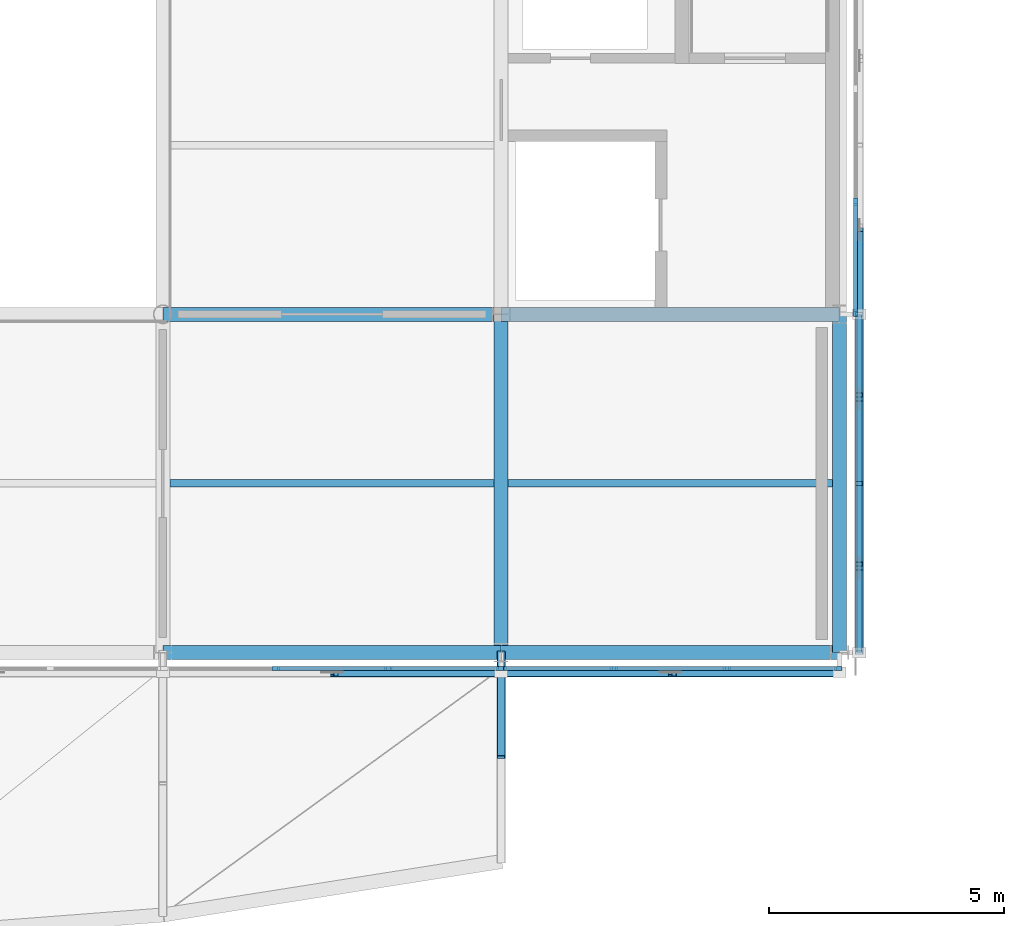
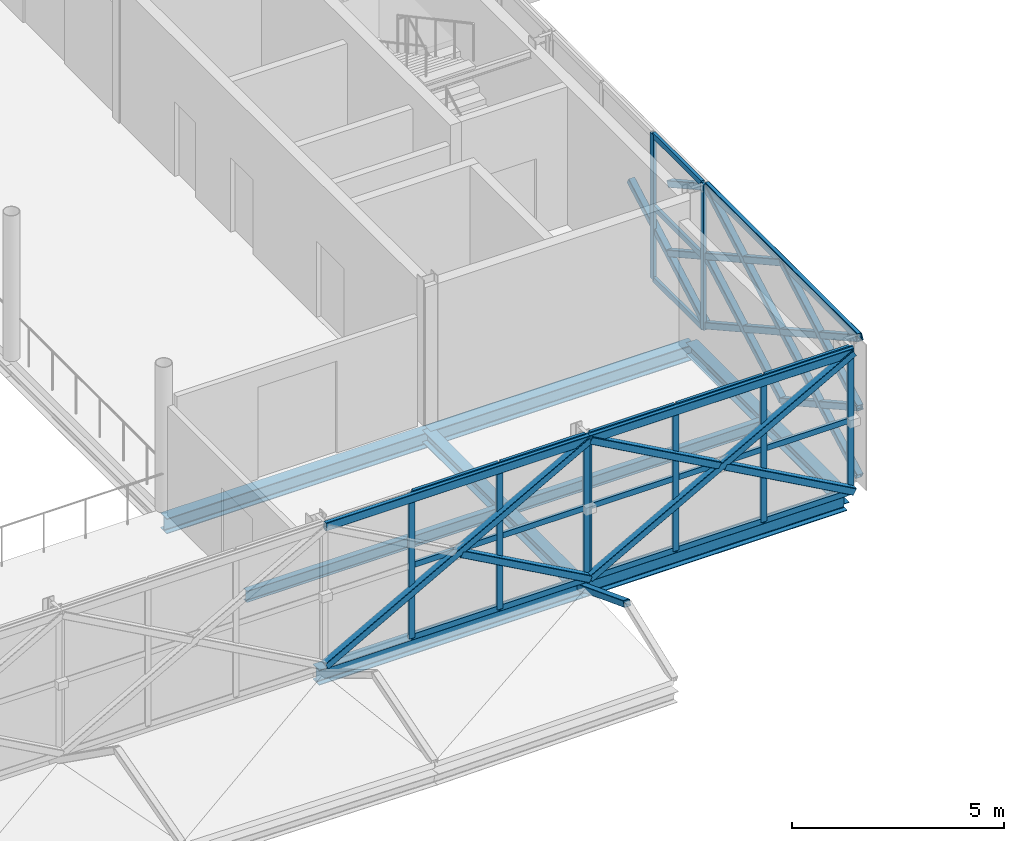
# One storey, part 41 of 146: 51 members, 8 beams, 3 elements without a shape of their own.
"""IFC4 building model written with IfcOpenShell, lengths in metres."""

from ifc_helpers import new_model, si_unit, direction, frame, origin, origin_2d, place, context, subcontext, project, spatial, rectangle, hollow_rectangle, i_section, extrude, material, material_profile, profile_set, type_object, element, aggregate, save


model = new_model("IFC4")

# Units and contexts
model_context = context("Model", 3, precision=1e-05, world=origin(), true_north=direction((0.0, 1.0)))
body_context = subcontext(model_context, "Body", "Model", "MODEL_VIEW")
ifc_project = project(units=[si_unit("LENGTHUNIT", "METRE"), si_unit("AREAUNIT", "SQUARE_METRE"), si_unit("VOLUMEUNIT", "CUBIC_METRE"), si_unit("PLANEANGLEUNIT", "RADIAN"), si_unit("MASSUNIT", "GRAM", prefix="KILO")], contexts=[model_context])

# Site, building, storey
site_placement = place(None, origin())
site = spatial("IfcSite", under=ifc_project, at=site_placement, CompositionType="ELEMENT")
building_placement = place(site_placement, origin())
building = spatial("IfcBuilding", under=site, at=building_placement, Name="Zlatovets Crest Museum", CompositionType="ELEMENT")
storey_placement = place(building_placement, frame((0.0, 0.0, 4.5)))
storey = spatial("IfcBuildingStorey", under=building, at=storey_placement, Name="L01", CompositionType="ELEMENT", Elevation=4.5)

# Beams
ifc_material_1 = material(Name="Structural steel S355J2", Category="steel")
ifc_material_profile_1 = material_profile(ifc_material_1, i_section(OverallWidth=0.300048828125, OverallDepth=0.35009765625, WebThickness=0.010009765625, FlangeThickness=0.017578125, FilletRadius=0.027099609375, at=origin_2d()), Name="HEA 360")
ifc_profile_set_1 = profile_set([ifc_material_profile_1], Name="Structural steel S355J2")
beam_type_1 = type_object("IfcBeamType", Name="Beam_B-03", PredefinedType="BEAM", material=ifc_profile_set_1)
for number, where, z_axis, x_axis, name in (
    (1, (100.800048828125, 0.0, -0.39501953125), (0.0, 1.0, 0.0), (-1.0, 0.0, 0.0), "V2 L01 Grid Beam B-03"),
    (2, (108.0, 0.0, -0.39501953125), (0.0, 1.0, 0.0), (-1.0, 0.0, 0.0), "V2 L01 Grid Beam B-03"),
):
    element("IfcBeam", number, at=place(storey_placement, frame(where, z_axis=z_axis, x_axis=x_axis)), inside=storey, type_object=beam_type_1, Name=name, PredefinedType="BEAM", context=body_context, shape_type="SweptSolid", body=[
        extrude(i_section(OverallWidth=0.300048828125, OverallDepth=0.35009765625, WebThickness=0.010009765625, FlangeThickness=0.017578125, FilletRadius=0.027099609375, at=origin_2d()), origin(), (0.0, 0.0, 1.0), 7.199951171875),
    ])
ifc_material_profile_2 = material_profile(ifc_material_1, i_section(OverallWidth=0.300048828125, OverallDepth=0.43994140625, WebThickness=0.011474609375, FlangeThickness=0.02099609375, FilletRadius=0.027099609375, at=origin_2d()), Name="HEA 450")
ifc_profile_set_2 = profile_set([ifc_material_profile_2], Name="Structural steel S355J2")
beam_type_2 = type_object("IfcBeamType", Name="Beam_B-10", PredefinedType="BEAM", material=ifc_profile_set_2)
for number, where, z_axis, x_axis, name in (
    (3, (93.60009765625, 0.0, -0.43994140625), (1.0, 0.0, 0.0), (0.0, 1.0, 0.0), "V2 L01 Primary Girder B-10"),
    (4, (100.800048828125, 0.0, -0.43994140625), (1.0, 0.0, 0.0), (0.0, 1.0, 0.0), "V2 L01 Primary Girder B-10"),
    (5, (93.60009765625, 7.199951171875, -0.43994140625), (1.0, 0.0, 0.0), (0.0, 1.0, 0.0), "V2 L01 Primary Girder B-10"),
    (6, (100.800048828125, 7.199951171875, -0.43994140625), (1.0, 0.0, 0.0), (0.0, 1.0, 0.0), "V2 L01 Primary Girder B-10"),
):
    element("IfcBeam", number, at=place(storey_placement, frame(where, z_axis=z_axis, x_axis=x_axis)), inside=storey, type_object=beam_type_2, Name=name, PredefinedType="BEAM", context=body_context, shape_type="SweptSolid", body=[
        extrude(i_section(OverallWidth=0.300048828125, OverallDepth=0.43994140625, WebThickness=0.011474609375, FlangeThickness=0.02099609375, FilletRadius=0.027099609375, at=origin_2d()), origin(), (0.0, 0.0, 1.0), 7.199951171875),
    ])
ifc_material_profile_3 = material_profile(ifc_material_1, i_section(OverallWidth=0.159912109375, OverallDepth=0.330078125, WebThickness=0.007568359375, FlangeThickness=0.011474609375, FilletRadius=0.01806640625, at=origin_2d()), Name="IPE 330")
ifc_profile_set_3 = profile_set([ifc_material_profile_3], Name="Structural steel S355J2")
beam_type_3 = type_object("IfcBeamType", Name="Beam_J-09", PredefinedType="JOIST", material=ifc_profile_set_3)
beam_1_placement = place(storey_placement, frame((93.75, 3.60009765625, -0.385009765625), z_axis=(1.0, 0.0, 0.0), x_axis=(0.0, 1.0, 0.0)))
element("IfcBeam", 7, at=beam_1_placement, inside=storey, type_object=beam_type_3, Name="V2 L01 Composite Joist J-09", PredefinedType="JOIST", context=body_context, shape_type="SweptSolid", body=[
    extrude(i_section(OverallWidth=0.159912109375, OverallDepth=0.330078125, WebThickness=0.007568359375, FlangeThickness=0.011474609375, FilletRadius=0.01806640625, at=origin_2d()), origin(), (0.0, 0.0, 1.0), 6.89990234375),
])
beam_2_placement = place(storey_placement, frame((100.949951171875, 3.60009765625, -0.385009765625), z_axis=(1.0, 0.0, 0.0), x_axis=(0.0, 1.0, 0.0)))
element("IfcBeam", 8, at=beam_2_placement, inside=storey, type_object=beam_type_3, Name="V2 L01 Composite Joist J-09", PredefinedType="JOIST", context=body_context, shape_type="SweptSolid", body=[
    extrude(i_section(OverallWidth=0.159912109375, OverallDepth=0.330078125, WebThickness=0.007568359375, FlangeThickness=0.011474609375, FilletRadius=0.01806640625, at=origin_2d()), origin(), (0.0, 0.0, 1.0), 6.900146484375),
])

# Curtain wall, members
ifc_material_2 = material(Name="Bronze-anodised aluminium and low-E triple glass", Category="aluminium")
curtain_wall_type_1 = type_object("IfcCurtainWallType", Name="CW_CW-V2-L01-M1", PredefinedType="NOTDEFINED", material=ifc_material_2)
curtain_wall_1_placement = place(storey_placement, origin())
curtain_wall_1 = element("IfcCurtainWall", 9, at=curtain_wall_1_placement, inside=storey, type_object=curtain_wall_type_1, Name="V2 L01 Secession Foyer Clear Curtain Wall", PredefinedType="NOTDEFINED")
ifc_material_3 = material(Name="Bronze-anodised aluminium EN AW-6060", Category="aluminium")
ifc_material_profile_4 = material_profile(ifc_material_3, rectangle(XDim=0.080078125, YDim=0.159912109375, at=origin_2d()), Name="ALU 80x160")
ifc_profile_set_4 = profile_set([ifc_material_profile_4], Name="Bronze-anodised aluminium EN AW-6060")
member_type_1 = type_object("IfcMemberType", Name="CWMull_M1", PredefinedType="MULLION", material=ifc_profile_set_4)
member_1_placement = place(storey_placement, frame((96.0, -0.340087890625, 0.0), z_axis=(0.0, 0.0, 1.0), x_axis=(0.0, 1.0, 0.0)))
member_1 = element("IfcMember", 10, at=member_1_placement, type_object=member_type_1, Name="CW-V2-L01-M1 mullion 2", PredefinedType="MULLION", context=body_context, shape_type="SweptSolid", body=[
    extrude(rectangle(XDim=0.080078125, YDim=0.159912109375, at=origin_2d()), origin(), (0.0, 0.0, 1.0), 4.199951171875),
])
member_2_placement = place(storey_placement, frame((98.39990234375, -0.340087890625, 0.0), z_axis=(0.0, 0.0, 1.0), x_axis=(0.0, 1.0, 0.0)))
member_2 = element("IfcMember", 11, at=member_2_placement, type_object=member_type_1, Name="CW-V2-L01-M1 mullion 3", PredefinedType="MULLION", context=body_context, shape_type="SweptSolid", body=[
    extrude(rectangle(XDim=0.080078125, YDim=0.159912109375, at=origin_2d()), origin(), (0.0, 0.0, 1.0), 4.199951171875),
])
member_3_placement = place(storey_placement, frame((100.77001953125, -0.340087890625, 0.0), z_axis=(0.0, 0.0, 1.0), x_axis=(0.0, 1.0, 0.0)))
member_3 = element("IfcMember", 12, at=member_3_placement, type_object=member_type_1, Name="CW-V2-L01-M1 mullion 4", PredefinedType="MULLION", context=body_context, shape_type="SweptSolid", body=[
    extrude(rectangle(XDim=0.080078125, YDim=0.159912109375, at=origin_2d()), origin(), (0.0, 0.0, 1.0), 4.199951171875),
])

curtain_wall_type_2 = type_object("IfcCurtainWallType", Name="CW_CW-V2-L01-M2", PredefinedType="NOTDEFINED", material=ifc_material_2)
curtain_wall_2_placement = place(storey_placement, origin())
curtain_wall_2 = element("IfcCurtainWall", 13, at=curtain_wall_2_placement, inside=storey, type_object=curtain_wall_type_2, Name="V2 L01 Secession Foyer Clear Curtain Wall", PredefinedType="NOTDEFINED")
member_4_placement = place(storey_placement, frame((100.830078125, -0.340087890625, 0.0), z_axis=(0.0, 0.0, 1.0), x_axis=(0.0, 1.0, 0.0)))
member_4 = element("IfcMember", 14, at=member_4_placement, type_object=member_type_1, Name="CW-V2-L01-M2 mullion 1", PredefinedType="MULLION", context=body_context, shape_type="SweptSolid", body=[
    extrude(rectangle(XDim=0.080078125, YDim=0.159912109375, at=origin_2d()), origin(), (0.0, 0.0, 1.0), 4.199951171875),
])
member_5_placement = place(storey_placement, frame((103.199951171875, -0.340087890625, 0.0), z_axis=(0.0, 0.0, 1.0), x_axis=(0.0, 1.0, 0.0)))
member_5 = element("IfcMember", 15, at=member_5_placement, type_object=member_type_1, Name="CW-V2-L01-M2 mullion 2", PredefinedType="MULLION", context=body_context, shape_type="SweptSolid", body=[
    extrude(rectangle(XDim=0.080078125, YDim=0.159912109375, at=origin_2d()), origin(), (0.0, 0.0, 1.0), 4.199951171875),
])
member_6_placement = place(storey_placement, frame((105.60009765625, -0.340087890625, 0.0), z_axis=(0.0, 0.0, 1.0), x_axis=(0.0, 1.0, 0.0)))
member_6 = element("IfcMember", 16, at=member_6_placement, type_object=member_type_1, Name="CW-V2-L01-M2 mullion 3", PredefinedType="MULLION", context=body_context, shape_type="SweptSolid", body=[
    extrude(rectangle(XDim=0.080078125, YDim=0.159912109375, at=origin_2d()), origin(), (0.0, 0.0, 1.0), 4.199951171875),
])
member_7_placement = place(storey_placement, frame((107.969970703125, -0.340087890625, 0.0), z_axis=(0.0, 0.0, 1.0), x_axis=(0.0, 1.0, 0.0)))
member_7 = element("IfcMember", 17, at=member_7_placement, type_object=member_type_1, Name="CW-V2-L01-M2 mullion 4", PredefinedType="MULLION", context=body_context, shape_type="SweptSolid", body=[
    extrude(rectangle(XDim=0.080078125, YDim=0.159912109375, at=origin_2d()), origin(), (0.0, 0.0, 1.0), 4.199951171875),
])

curtain_wall_type_3 = type_object("IfcCurtainWallType", Name="CW_CW-V2-L01-M0", PredefinedType="NOTDEFINED", material=ifc_material_2)
curtain_wall_3_placement = place(storey_placement, origin())
curtain_wall_3 = element("IfcCurtainWall", 18, at=curtain_wall_3_placement, inside=storey, type_object=curtain_wall_type_3, Name="V2 L01 Expressed Core Glazed Facade", PredefinedType="NOTDEFINED")
member_8_placement = place(storey_placement, frame((108.340087890625, 7.22998046875, 0.0), z_axis=(0.0, 0.0, 1.0), x_axis=(-1.0, 0.0, 0.0)))
member_8 = element("IfcMember", 19, at=member_8_placement, type_object=member_type_1, Name="CW-V2-L01-M0 mullion 1", PredefinedType="MULLION", context=body_context, shape_type="SweptSolid", body=[
    extrude(rectangle(XDim=0.080078125, YDim=0.159912109375, at=origin_2d()), origin(), (0.0, 0.0, 1.0), 4.199951171875),
])
member_9_placement = place(storey_placement, frame((108.340087890625, 9.60009765625, 0.0), z_axis=(0.0, 0.0, 1.0), x_axis=(-1.0, 0.0, 0.0)))
member_9 = element("IfcMember", 20, at=member_9_placement, type_object=member_type_1, Name="CW-V2-L01-M0 mullion 2", PredefinedType="MULLION", context=body_context, shape_type="SweptSolid", body=[
    extrude(rectangle(XDim=0.080078125, YDim=0.159912109375, at=origin_2d()), origin(), (0.0, 0.0, 1.0), 4.199951171875),
])

# Member
ifc_material_profile_5 = material_profile(ifc_material_3, rectangle(XDim=0.080078125, YDim=0.159912109375, at=origin_2d()), Name="ALU 80x160")
ifc_profile_set_5 = profile_set([ifc_material_profile_5], Name="Bronze-anodised aluminium EN AW-6060")
member_type_2 = type_object("IfcMemberType", Name="CWTrans_T1", PredefinedType="USERDEFINED", material=ifc_profile_set_5)
member_10_placement = place(storey_placement, frame((96.030029296875, -0.340087890625, 0.030029296875), z_axis=(1.0, 0.0, 0.0), x_axis=(0.0, 1.0, 0.0)))
member_10 = element("IfcMember", 21, at=member_10_placement, type_object=member_type_2, Name="CW-V2-L01-M1 transom 2.1", ObjectType="TRANSOM", PredefinedType="USERDEFINED", context=body_context, shape_type="SweptSolid", body=[
    extrude(rectangle(XDim=0.080078125, YDim=0.159912109375, at=origin_2d()), origin(), (0.0, 0.0, 1.0), 2.340087890625),
])

member_11_placement = place(storey_placement, frame((96.030029296875, -0.340087890625, 2.10009765625), z_axis=(1.0, 0.0, 0.0), x_axis=(0.0, 1.0, 0.0)))
member_11 = element("IfcMember", 22, at=member_11_placement, type_object=member_type_2, Name="CW-V2-L01-M1 transom 2.2", ObjectType="TRANSOM", PredefinedType="USERDEFINED", context=body_context, shape_type="SweptSolid", body=[
    extrude(rectangle(XDim=0.080078125, YDim=0.159912109375, at=origin_2d()), origin(), (0.0, 0.0, 1.0), 2.340087890625),
])

member_12_placement = place(storey_placement, frame((96.030029296875, -0.340087890625, 4.169921875), z_axis=(1.0, 0.0, 0.0), x_axis=(0.0, 1.0, 0.0)))
member_12 = element("IfcMember", 23, at=member_12_placement, type_object=member_type_2, Name="CW-V2-L01-M1 transom 2.3", ObjectType="TRANSOM", PredefinedType="USERDEFINED", context=body_context, shape_type="SweptSolid", body=[
    extrude(rectangle(XDim=0.080078125, YDim=0.159912109375, at=origin_2d()), origin(), (0.0, 0.0, 1.0), 2.340087890625),
])

member_13_placement = place(storey_placement, frame((98.429931640625, -0.340087890625, 0.030029296875), z_axis=(1.0, 0.0, 0.0), x_axis=(0.0, 1.0, 0.0)))
member_13 = element("IfcMember", 24, at=member_13_placement, type_object=member_type_2, Name="CW-V2-L01-M1 transom 3.1", ObjectType="TRANSOM", PredefinedType="USERDEFINED", context=body_context, shape_type="SweptSolid", body=[
    extrude(rectangle(XDim=0.080078125, YDim=0.159912109375, at=origin_2d()), origin(), (0.0, 0.0, 1.0), 2.31005859375),
])

member_14_placement = place(storey_placement, frame((98.429931640625, -0.340087890625, 2.10009765625), z_axis=(1.0, 0.0, 0.0), x_axis=(0.0, 1.0, 0.0)))
member_14 = element("IfcMember", 25, at=member_14_placement, type_object=member_type_2, Name="CW-V2-L01-M1 transom 3.2", ObjectType="TRANSOM", PredefinedType="USERDEFINED", context=body_context, shape_type="SweptSolid", body=[
    extrude(rectangle(XDim=0.080078125, YDim=0.159912109375, at=origin_2d()), origin(), (0.0, 0.0, 1.0), 2.31005859375),
])

member_15_placement = place(storey_placement, frame((98.429931640625, -0.340087890625, 4.169921875), z_axis=(1.0, 0.0, 0.0), x_axis=(0.0, 1.0, 0.0)))
member_15 = element("IfcMember", 26, at=member_15_placement, type_object=member_type_2, Name="CW-V2-L01-M1 transom 3.3", ObjectType="TRANSOM", PredefinedType="USERDEFINED", context=body_context, shape_type="SweptSolid", body=[
    extrude(rectangle(XDim=0.080078125, YDim=0.159912109375, at=origin_2d()), origin(), (0.0, 0.0, 1.0), 2.31005859375),
])

aggregate(curtain_wall_1, [member_1, member_2, member_3, member_10, member_11, member_12, member_13, member_14, member_15])

member_16_placement = place(storey_placement, frame((100.860107421875, -0.340087890625, 0.030029296875), z_axis=(1.0, 0.0, 0.0), x_axis=(0.0, 1.0, 0.0)))
member_16 = element("IfcMember", 27, at=member_16_placement, type_object=member_type_2, Name="CW-V2-L01-M2 transom 1.1", ObjectType="TRANSOM", PredefinedType="USERDEFINED", context=body_context, shape_type="SweptSolid", body=[
    extrude(rectangle(XDim=0.080078125, YDim=0.159912109375, at=origin_2d()), origin(), (0.0, 0.0, 1.0), 2.309814453125),
])

member_17_placement = place(storey_placement, frame((100.860107421875, -0.340087890625, 2.10009765625), z_axis=(1.0, 0.0, 0.0), x_axis=(0.0, 1.0, 0.0)))
member_17 = element("IfcMember", 28, at=member_17_placement, type_object=member_type_2, Name="CW-V2-L01-M2 transom 1.2", ObjectType="TRANSOM", PredefinedType="USERDEFINED", context=body_context, shape_type="SweptSolid", body=[
    extrude(rectangle(XDim=0.080078125, YDim=0.159912109375, at=origin_2d()), origin(), (0.0, 0.0, 1.0), 2.309814453125),
])

member_18_placement = place(storey_placement, frame((100.860107421875, -0.340087890625, 4.169921875), z_axis=(1.0, 0.0, 0.0), x_axis=(0.0, 1.0, 0.0)))
member_18 = element("IfcMember", 29, at=member_18_placement, type_object=member_type_2, Name="CW-V2-L01-M2 transom 1.3", ObjectType="TRANSOM", PredefinedType="USERDEFINED", context=body_context, shape_type="SweptSolid", body=[
    extrude(rectangle(XDim=0.080078125, YDim=0.159912109375, at=origin_2d()), origin(), (0.0, 0.0, 1.0), 2.309814453125),
])

member_19_placement = place(storey_placement, frame((103.22998046875, -0.340087890625, 0.030029296875), z_axis=(1.0, 0.0, 0.0), x_axis=(0.0, 1.0, 0.0)))
member_19 = element("IfcMember", 30, at=member_19_placement, type_object=member_type_2, Name="CW-V2-L01-M2 transom 2.1", ObjectType="TRANSOM", PredefinedType="USERDEFINED", context=body_context, shape_type="SweptSolid", body=[
    extrude(rectangle(XDim=0.080078125, YDim=0.159912109375, at=origin_2d()), origin(), (0.0, 0.0, 1.0), 2.340087890625),
])

member_20_placement = place(storey_placement, frame((103.22998046875, -0.340087890625, 2.10009765625), z_axis=(1.0, 0.0, 0.0), x_axis=(0.0, 1.0, 0.0)))
member_20 = element("IfcMember", 31, at=member_20_placement, type_object=member_type_2, Name="CW-V2-L01-M2 transom 2.2", ObjectType="TRANSOM", PredefinedType="USERDEFINED", context=body_context, shape_type="SweptSolid", body=[
    extrude(rectangle(XDim=0.080078125, YDim=0.159912109375, at=origin_2d()), origin(), (0.0, 0.0, 1.0), 2.340087890625),
])

member_21_placement = place(storey_placement, frame((103.22998046875, -0.340087890625, 4.169921875), z_axis=(1.0, 0.0, 0.0), x_axis=(0.0, 1.0, 0.0)))
member_21 = element("IfcMember", 32, at=member_21_placement, type_object=member_type_2, Name="CW-V2-L01-M2 transom 2.3", ObjectType="TRANSOM", PredefinedType="USERDEFINED", context=body_context, shape_type="SweptSolid", body=[
    extrude(rectangle(XDim=0.080078125, YDim=0.159912109375, at=origin_2d()), origin(), (0.0, 0.0, 1.0), 2.340087890625),
])

member_22_placement = place(storey_placement, frame((105.6298828125, -0.340087890625, 0.030029296875), z_axis=(1.0, 0.0, 0.0), x_axis=(0.0, 1.0, 0.0)))
member_22 = element("IfcMember", 33, at=member_22_placement, type_object=member_type_2, Name="CW-V2-L01-M2 transom 3.1", ObjectType="TRANSOM", PredefinedType="USERDEFINED", context=body_context, shape_type="SweptSolid", body=[
    extrude(rectangle(XDim=0.080078125, YDim=0.159912109375, at=origin_2d()), origin(), (0.0, 0.0, 1.0), 2.31005859375),
])

member_23_placement = place(storey_placement, frame((105.6298828125, -0.340087890625, 2.10009765625), z_axis=(1.0, 0.0, 0.0), x_axis=(0.0, 1.0, 0.0)))
member_23 = element("IfcMember", 34, at=member_23_placement, type_object=member_type_2, Name="CW-V2-L01-M2 transom 3.2", ObjectType="TRANSOM", PredefinedType="USERDEFINED", context=body_context, shape_type="SweptSolid", body=[
    extrude(rectangle(XDim=0.080078125, YDim=0.159912109375, at=origin_2d()), origin(), (0.0, 0.0, 1.0), 2.31005859375),
])

member_24_placement = place(storey_placement, frame((105.6298828125, -0.340087890625, 4.169921875), z_axis=(1.0, 0.0, 0.0), x_axis=(0.0, 1.0, 0.0)))
member_24 = element("IfcMember", 35, at=member_24_placement, type_object=member_type_2, Name="CW-V2-L01-M2 transom 3.3", ObjectType="TRANSOM", PredefinedType="USERDEFINED", context=body_context, shape_type="SweptSolid", body=[
    extrude(rectangle(XDim=0.080078125, YDim=0.159912109375, at=origin_2d()), origin(), (0.0, 0.0, 1.0), 2.31005859375),
])

aggregate(curtain_wall_2, [member_4, member_5, member_6, member_7, member_16, member_17, member_18, member_19, member_20, member_21, member_22, member_23, member_24])

member_25_placement = place(storey_placement, frame((108.340087890625, 7.260009765625, 0.030029296875), z_axis=(0.0, 1.0, 0.0), x_axis=(-1.0, 0.0, 0.0)))
member_25 = element("IfcMember", 36, at=member_25_placement, type_object=member_type_2, Name="CW-V2-L01-M0 transom 1.1", ObjectType="TRANSOM", PredefinedType="USERDEFINED", context=body_context, shape_type="SweptSolid", body=[
    extrude(rectangle(XDim=0.080078125, YDim=0.159912109375, at=origin_2d()), origin(), (0.0, 0.0, 1.0), 2.31005859375),
])

member_26_placement = place(storey_placement, frame((108.340087890625, 7.260009765625, 2.10009765625), z_axis=(0.0, 1.0, 0.0), x_axis=(-1.0, 0.0, 0.0)))
member_26 = element("IfcMember", 37, at=member_26_placement, type_object=member_type_2, Name="CW-V2-L01-M0 transom 1.2", ObjectType="TRANSOM", PredefinedType="USERDEFINED", context=body_context, shape_type="SweptSolid", body=[
    extrude(rectangle(XDim=0.080078125, YDim=0.159912109375, at=origin_2d()), origin(), (0.0, 0.0, 1.0), 2.31005859375),
])

member_27_placement = place(storey_placement, frame((108.340087890625, 7.260009765625, 4.169921875), z_axis=(0.0, 1.0, 0.0), x_axis=(-1.0, 0.0, 0.0)))
member_27 = element("IfcMember", 38, at=member_27_placement, type_object=member_type_2, Name="CW-V2-L01-M0 transom 1.3", ObjectType="TRANSOM", PredefinedType="USERDEFINED", context=body_context, shape_type="SweptSolid", body=[
    extrude(rectangle(XDim=0.080078125, YDim=0.159912109375, at=origin_2d()), origin(), (0.0, 0.0, 1.0), 2.31005859375),
])

aggregate(curtain_wall_3, [member_8, member_9, member_25, member_26, member_27])

# Members
ifc_material_4 = material(Name="Weathering bronze-steel S355J2W", Category="steel")
ifc_material_profile_6 = material_profile(ifc_material_4, hollow_rectangle(XDim=0.179931640625, YDim=0.179931640625, WallThickness=0.010009765625, InnerFilletRadius=0.010009765625, OuterFilletRadius=0.02001953125, at=origin_2d()), Name="SHS 180x180x10.0")
ifc_profile_set_6 = profile_set([ifc_material_profile_6], Name="Weathering bronze-steel S355J2W")
member_type_3 = type_object("IfcMemberType", Name="Lattice_XL-01", PredefinedType="BRACE", material=ifc_profile_set_6)
member_28_placement = place(storey_placement, frame((108.419921875, 0.0, 0.10009765625), z_axis=(0.0, 0.874162868644, 0.485632864501), x_axis=(-1.0, 0.0, 0.0)))
element("IfcMember", 39, at=member_28_placement, inside=storey, type_object=member_type_3, Name="Continuous Bronze Lattice Diagonal", PredefinedType="BRACE", context=body_context, shape_type="SweptSolid", body=[
    extrude(hollow_rectangle(XDim=0.179931640625, YDim=0.179931640625, WallThickness=0.010009765625, InnerFilletRadius=0.010009765625, OuterFilletRadius=0.02001953125, at=origin_2d()), origin(), (0.0, 0.0, 1.0), 4.118408203125),
])
member_29_placement = place(storey_placement, frame((108.419921875, 0.0, 2.10009765625), z_axis=(0.0, 0.874116234569, -0.48571679862), x_axis=(-1.0, 0.0, 0.0)))
element("IfcMember", 40, at=member_29_placement, inside=storey, type_object=member_type_3, Name="Split Crossing Bronze Lattice Diagonal Upper", PredefinedType="BRACE", context=body_context, shape_type="SweptSolid", body=[
    extrude(hollow_rectangle(XDim=0.179931640625, YDim=0.179931640625, WallThickness=0.010009765625, InnerFilletRadius=0.010009765625, OuterFilletRadius=0.02001953125, at=origin_2d()), origin(), (0.0, 0.0, 1.0), 1.96435546875),
])
member_30_placement = place(storey_placement, frame((108.419921875, 1.883056640625, 1.053955078125), z_axis=(0.0, 0.874169001841, -0.485621824284), x_axis=(-1.0, 0.0, 0.0)))
element("IfcMember", 41, at=member_30_placement, inside=storey, type_object=member_type_3, Name="Split Crossing Bronze Lattice Diagonal Lower", PredefinedType="BRACE", context=body_context, shape_type="SweptSolid", body=[
    extrude(hollow_rectangle(XDim=0.179931640625, YDim=0.179931640625, WallThickness=0.010009765625, InnerFilletRadius=0.010009765625, OuterFilletRadius=0.02001953125, at=origin_2d()), origin(), (0.0, 0.0, 1.0), 1.964111328125),
])
member_31_placement = place(storey_placement, frame((108.419921875, 3.60009765625, 0.10009765625), z_axis=(0.0, 0.874148886685, 0.485658031857), x_axis=(-1.0, 0.0, 0.0)))
element("IfcMember", 42, at=member_31_placement, inside=storey, type_object=member_type_3, Name="Continuous Bronze Lattice Diagonal", PredefinedType="BRACE", context=body_context, shape_type="SweptSolid", body=[
    extrude(hollow_rectangle(XDim=0.179931640625, YDim=0.179931640625, WallThickness=0.010009765625, InnerFilletRadius=0.010009765625, OuterFilletRadius=0.02001953125, at=origin_2d()), origin(), (0.0, 0.0, 1.0), 4.1181640625),
])
for number, where, z_axis, x_axis, name in (
    (43, (108.419921875, 3.60009765625, 2.10009765625), (0.0, 0.874086907708, -0.485769572713), (-1.0, 0.0, 0.0), "Split Crossing Bronze Lattice Diagonal Upper"),
    (44, (108.419921875, 5.48291015625, 1.053955078125), (0.0, 0.874169001841, -0.485621824284), (-1.0, 0.0, 0.0), "Split Crossing Bronze Lattice Diagonal Lower"),
):
    element("IfcMember", number, at=place(storey_placement, frame(where, z_axis=z_axis, x_axis=x_axis)), inside=storey, type_object=member_type_3, Name=name, PredefinedType="BRACE", context=body_context, shape_type="SweptSolid", body=[
        extrude(hollow_rectangle(XDim=0.179931640625, YDim=0.179931640625, WallThickness=0.010009765625, InnerFilletRadius=0.010009765625, OuterFilletRadius=0.02001953125, at=origin_2d()), origin(), (0.0, 0.0, 1.0), 1.964111328125),
    ])
member_32_placement = place(storey_placement, frame((108.419921875, 0.0, 2.10009765625), z_axis=(0.0, 0.874162868644, 0.485632864501), x_axis=(-1.0, 0.0, 0.0)))
element("IfcMember", 45, at=member_32_placement, inside=storey, type_object=member_type_3, Name="Continuous Bronze Lattice Diagonal", PredefinedType="BRACE", context=body_context, shape_type="SweptSolid", body=[
    extrude(hollow_rectangle(XDim=0.179931640625, YDim=0.179931640625, WallThickness=0.010009765625, InnerFilletRadius=0.010009765625, OuterFilletRadius=0.02001953125, at=origin_2d()), origin(), (0.0, 0.0, 1.0), 4.118408203125),
])
member_33_placement = place(storey_placement, frame((108.419921875, 0.0, 4.10009765625), z_axis=(0.0, 0.874116234569, -0.48571679862), x_axis=(-1.0, 0.0, 0.0)))
element("IfcMember", 46, at=member_33_placement, inside=storey, type_object=member_type_3, Name="Split Crossing Bronze Lattice Diagonal Upper", PredefinedType="BRACE", context=body_context, shape_type="SweptSolid", body=[
    extrude(hollow_rectangle(XDim=0.179931640625, YDim=0.179931640625, WallThickness=0.010009765625, InnerFilletRadius=0.010009765625, OuterFilletRadius=0.02001953125, at=origin_2d()), origin(), (0.0, 0.0, 1.0), 1.96435546875),
])
member_34_placement = place(storey_placement, frame((108.419921875, 1.883056640625, 3.053955078125), z_axis=(0.0, 0.874169001841, -0.485621824284), x_axis=(-1.0, 0.0, 0.0)))
element("IfcMember", 47, at=member_34_placement, inside=storey, type_object=member_type_3, Name="Split Crossing Bronze Lattice Diagonal Lower", PredefinedType="BRACE", context=body_context, shape_type="SweptSolid", body=[
    extrude(hollow_rectangle(XDim=0.179931640625, YDim=0.179931640625, WallThickness=0.010009765625, InnerFilletRadius=0.010009765625, OuterFilletRadius=0.02001953125, at=origin_2d()), origin(), (0.0, 0.0, 1.0), 1.964111328125),
])
member_35_placement = place(storey_placement, frame((108.419921875, 3.60009765625, 2.10009765625), z_axis=(0.0, 0.874148886685, 0.485658031857), x_axis=(-1.0, 0.0, 0.0)))
element("IfcMember", 48, at=member_35_placement, inside=storey, type_object=member_type_3, Name="Continuous Bronze Lattice Diagonal", PredefinedType="BRACE", context=body_context, shape_type="SweptSolid", body=[
    extrude(hollow_rectangle(XDim=0.179931640625, YDim=0.179931640625, WallThickness=0.010009765625, InnerFilletRadius=0.010009765625, OuterFilletRadius=0.02001953125, at=origin_2d()), origin(), (0.0, 0.0, 1.0), 4.1181640625),
])
for number, where, z_axis, x_axis, name in (
    (49, (108.419921875, 3.60009765625, 4.10009765625), (0.0, 0.874086907708, -0.485769572713), (-1.0, 0.0, 0.0), "Split Crossing Bronze Lattice Diagonal Upper"),
    (50, (108.419921875, 5.48291015625, 3.053955078125), (0.0, 0.874169001841, -0.485621824284), (-1.0, 0.0, 0.0), "Split Crossing Bronze Lattice Diagonal Lower"),
):
    element("IfcMember", number, at=place(storey_placement, frame(where, z_axis=z_axis, x_axis=x_axis)), inside=storey, type_object=member_type_3, Name=name, PredefinedType="BRACE", context=body_context, shape_type="SweptSolid", body=[
        extrude(hollow_rectangle(XDim=0.179931640625, YDim=0.179931640625, WallThickness=0.010009765625, InnerFilletRadius=0.010009765625, OuterFilletRadius=0.02001953125, at=origin_2d()), origin(), (0.0, 0.0, 1.0), 1.964111328125),
    ])
member_36_placement = place(storey_placement, frame((108.419921875, 7.199951171875, 0.10009765625), z_axis=(0.0, 0.874162868644, 0.485632864501), x_axis=(-1.0, 0.0, 0.0)))
element("IfcMember", 51, at=member_36_placement, inside=storey, type_object=member_type_3, Name="Continuous Bronze Lattice Diagonal", PredefinedType="BRACE", context=body_context, shape_type="SweptSolid", body=[
    extrude(hollow_rectangle(XDim=0.179931640625, YDim=0.179931640625, WallThickness=0.010009765625, InnerFilletRadius=0.010009765625, OuterFilletRadius=0.02001953125, at=origin_2d()), origin(), (0.0, 0.0, 1.0), 4.118408203125),
])
for number, where, z_axis, x_axis, name in (
    (52, (108.419921875, 7.199951171875, 2.10009765625), (0.0, 0.874116234569, -0.48571679862), (-1.0, 0.0, 0.0), "Split Crossing Bronze Lattice Diagonal Upper"),
    (53, (108.419921875, 7.199951171875, 4.10009765625), (0.0, 0.874116234569, -0.48571679862), (-1.0, 0.0, 0.0), "Split Crossing Bronze Lattice Diagonal Upper"),
):
    element("IfcMember", number, at=place(storey_placement, frame(where, z_axis=z_axis, x_axis=x_axis)), inside=storey, type_object=member_type_3, Name=name, PredefinedType="BRACE", context=body_context, shape_type="SweptSolid", body=[
        extrude(hollow_rectangle(XDim=0.179931640625, YDim=0.179931640625, WallThickness=0.010009765625, InnerFilletRadius=0.010009765625, OuterFilletRadius=0.02001953125, at=origin_2d()), origin(), (0.0, 0.0, 1.0), 1.96435546875),
    ])
ifc_material_profile_7 = material_profile(ifc_material_4, hollow_rectangle(XDim=0.199951171875, YDim=0.199951171875, WallThickness=0.012451171875, InnerFilletRadius=0.012451171875, OuterFilletRadius=0.02490234375, at=origin_2d()), Name="SHS 200x200x12.5")
ifc_profile_set_7 = profile_set([ifc_material_profile_7], Name="Weathering bronze-steel S355J2W")
member_type_4 = type_object("IfcMemberType", Name="Lattice_XL-02", PredefinedType="BRACE", material=ifc_profile_set_7)
member_37_placement = place(storey_placement, frame((93.60009765625, -0.419921875, 0.10009765625), z_axis=(0.874155877937, 0.0, 0.485645447903), x_axis=(0.0, 1.0, 0.0)))
element("IfcMember", 54, at=member_37_placement, inside=storey, type_object=member_type_4, Name="Continuous Bronze Lattice Diagonal", PredefinedType="BRACE", context=body_context, shape_type="SweptSolid", body=[
    extrude(hollow_rectangle(XDim=0.199951171875, YDim=0.199951171875, WallThickness=0.012451171875, InnerFilletRadius=0.012451171875, OuterFilletRadius=0.02490234375, at=origin_2d()), origin(), (0.0, 0.0, 1.0), 8.236572265625),
])
member_38_placement = place(storey_placement, frame((97.282958984375, -0.419921875, 2.053955078125), z_axis=(0.874165862873, 0.0, -0.485627474703), x_axis=(0.0, 1.0, 0.0)))
element("IfcMember", 55, at=member_38_placement, inside=storey, type_object=member_type_4, Name="Split Crossing Bronze Lattice Diagonal Lower", PredefinedType="BRACE", context=body_context, shape_type="SweptSolid", body=[
    extrude(hollow_rectangle(XDim=0.199951171875, YDim=0.199951171875, WallThickness=0.012451171875, InnerFilletRadius=0.012451171875, OuterFilletRadius=0.02490234375, at=origin_2d()), origin(), (0.0, 0.0, 1.0), 4.0234375),
])
member_39_placement = place(storey_placement, frame((100.800048828125, -0.419921875, 0.10009765625), z_axis=(0.874155877937, 0.0, 0.485645447903), x_axis=(0.0, 1.0, 0.0)))
element("IfcMember", 56, at=member_39_placement, inside=storey, type_object=member_type_4, Name="Continuous Bronze Lattice Diagonal", PredefinedType="BRACE", context=body_context, shape_type="SweptSolid", body=[
    extrude(hollow_rectangle(XDim=0.199951171875, YDim=0.199951171875, WallThickness=0.012451171875, InnerFilletRadius=0.012451171875, OuterFilletRadius=0.02490234375, at=origin_2d()), origin(), (0.0, 0.0, 1.0), 8.236572265625),
])
member_40_placement = place(storey_placement, frame((100.800048828125, -0.419921875, 4.10009765625), z_axis=(0.874125788284, 0.0, -0.485699604958), x_axis=(0.0, 1.0, 0.0)))
element("IfcMember", 57, at=member_40_placement, inside=storey, type_object=member_type_4, Name="Split Crossing Bronze Lattice Diagonal Upper", PredefinedType="BRACE", context=body_context, shape_type="SweptSolid", body=[
    extrude(hollow_rectangle(XDim=0.199951171875, YDim=0.199951171875, WallThickness=0.012451171875, InnerFilletRadius=0.012451171875, OuterFilletRadius=0.02490234375, at=origin_2d()), origin(), (0.0, 0.0, 1.0), 4.023193359375),
])
member_41_placement = place(storey_placement, frame((104.48291015625, -0.419921875, 2.053955078125), z_axis=(0.874165862873, 0.0, -0.485627474703), x_axis=(0.0, 1.0, 0.0)))
element("IfcMember", 58, at=member_41_placement, inside=storey, type_object=member_type_4, Name="Split Crossing Bronze Lattice Diagonal Lower", PredefinedType="BRACE", context=body_context, shape_type="SweptSolid", body=[
    extrude(hollow_rectangle(XDim=0.199951171875, YDim=0.199951171875, WallThickness=0.012451171875, InnerFilletRadius=0.012451171875, OuterFilletRadius=0.02490234375, at=origin_2d()), origin(), (0.0, 0.0, 1.0), 4.0234375),
])
ifc_material_profile_8 = material_profile(ifc_material_4, hollow_rectangle(XDim=0.1201171875, YDim=0.239990234375, WallThickness=0.010009765625, InnerFilletRadius=0.010009765625, OuterFilletRadius=0.02001953125, at=origin_2d()), Name="RHS 120x240x10.0")
ifc_profile_set_8 = profile_set([ifc_material_profile_8], Name="Weathering bronze-steel S355J2W")
member_type_5 = type_object("IfcMemberType", Name="Lattice_XL-04", PredefinedType="CHORD", material=ifc_profile_set_8)
for number, where, z_axis, x_axis, name in (
    (59, (93.60009765625, -0.419921875, 4.10009765625), (1.0, 0.0, 0.0), (0.0, 1.0, 0.0), "Art Nouveau Woven Cage Collector Ring Chord"),
    (60, (100.800048828125, -0.419921875, 4.10009765625), (1.0, 0.0, 0.0), (0.0, 1.0, 0.0), "Art Nouveau Woven Cage Collector Ring Chord"),
    (61, (108.419921875, 0.0, 4.10009765625), (0.0, 1.0, 0.0), (-1.0, 0.0, 0.0), "Art Nouveau Woven Cage Collector Ring Chord"),
):
    element("IfcMember", number, at=place(storey_placement, frame(where, z_axis=z_axis, x_axis=x_axis)), inside=storey, type_object=member_type_5, Name=name, PredefinedType="CHORD", context=body_context, shape_type="SweptSolid", body=[
        extrude(hollow_rectangle(XDim=0.1201171875, YDim=0.239990234375, WallThickness=0.010009765625, InnerFilletRadius=0.010009765625, OuterFilletRadius=0.02001953125, at=origin_2d()), origin(), (0.0, 0.0, 1.0), 7.199951171875),
    ])
ifc_material_profile_9 = material_profile(ifc_material_1, hollow_rectangle(XDim=0.179931640625, YDim=0.179931640625, WallThickness=0.010009765625, InnerFilletRadius=0.010009765625, OuterFilletRadius=0.02001953125, at=origin_2d()), Name="SHS 180x180x10.0")
ifc_profile_set_9 = profile_set([ifc_material_profile_9], Name="Structural steel S355J2")
member_type_6 = type_object("IfcMemberType", Name="Member_TM-04", PredefinedType="STRUT", material=ifc_profile_set_9)
member_42_placement = place(storey_placement, frame((100.800048828125, 0.0, -0.39990234375), z_axis=(0.0, -0.934141334562, 0.356903302119), x_axis=(1.0, 0.0, 0.0)))
element("IfcMember", 62, at=member_42_placement, inside=storey, type_object=member_type_6, Name="Art Nouveau Marquee Vault Rib Inner", PredefinedType="STRUT", context=body_context, shape_type="SweptSolid", body=[
    extrude(hollow_rectangle(XDim=0.179931640625, YDim=0.179931640625, WallThickness=0.010009765625, InnerFilletRadius=0.010009765625, OuterFilletRadius=0.02001953125, at=origin_2d()), origin(), (0.0, 0.0, 1.0), 2.381103515625),
])

save(model, "model.ifc")
